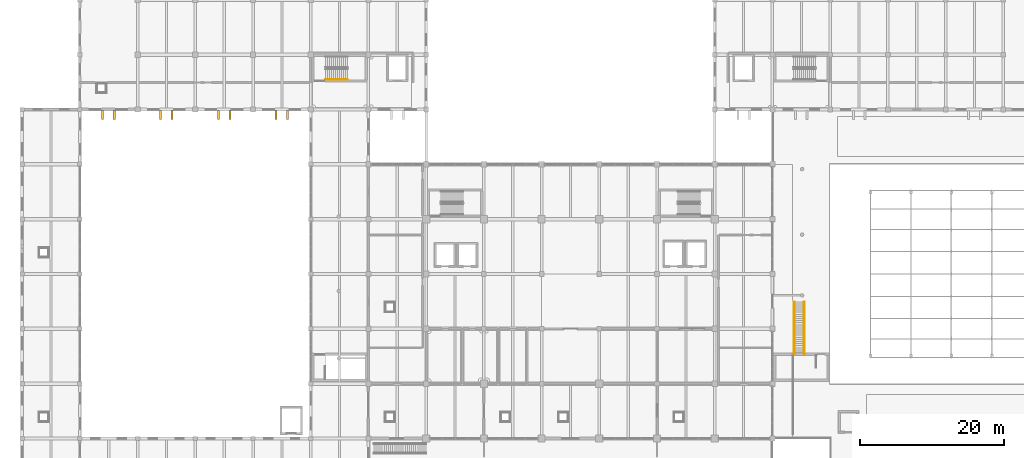
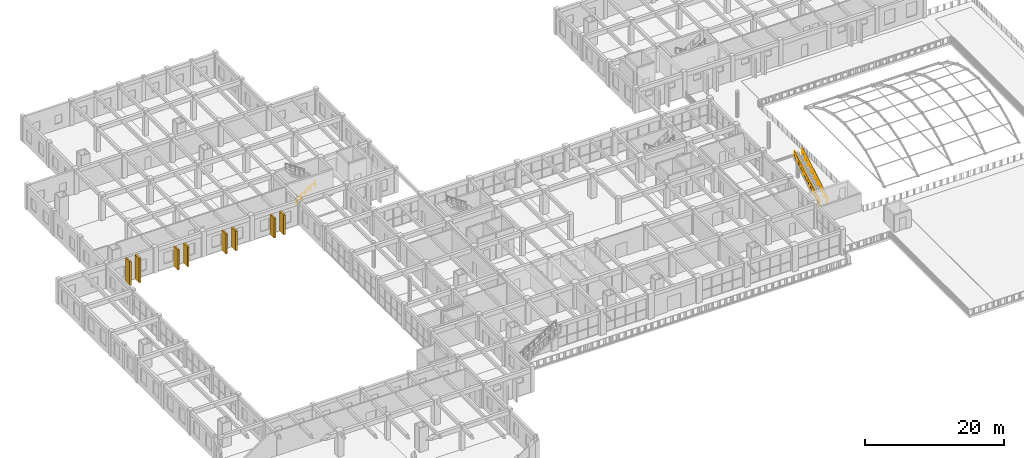
# One storey, part 74 of 79: 8 shading devices, 5 railings.
"""IFC4 building model written with IfcOpenShell, lengths in metres."""

from ifc_helpers import new_model, si_unit, direction, frame, origin, origin_2d, place, context, subcontext, project, spatial, rectangle, circle, extrude, material, type_object, element, save


model = new_model("IFC4")

# Units and contexts
model_context = context("Model", 3, precision=1e-05, world=origin(), true_north=direction((0.0, 1.0)))
body_context = subcontext(model_context, "Body", "Model", "MODEL_VIEW")
ifc_project = project(units=[si_unit("LENGTHUNIT", "METRE"), si_unit("AREAUNIT", "SQUARE_METRE"), si_unit("VOLUMEUNIT", "CUBIC_METRE"), si_unit("PLANEANGLEUNIT", "RADIAN"), si_unit("MASSUNIT", "GRAM", prefix="KILO")], contexts=[model_context])

# Site, building, storey
site_placement = place(None, origin())
site = spatial("IfcSite", under=ifc_project, at=site_placement, CompositionType="ELEMENT")
building_placement = place(site_placement, origin())
building = spatial("IfcBuilding", under=site, at=building_placement, Name="Zantavel Square City Hall", CompositionType="ELEMENT")
storey_placement = place(building_placement, frame((0.0, 0.0, 10.199951171875)))
storey = spatial("IfcBuildingStorey", under=building, at=storey_placement, Name="L03", CompositionType="ELEMENT", Elevation=10.199951171875)

# Shading devices
ifc_material_1 = material(Name="Cantera volcanic tuff stone", Category="masonry")
shading_device_type = type_object("IfcShadingDeviceType", Name="Cantera Vertical Solar Shading Pier 280x1240", PredefinedType="USERDEFINED", material=ifc_material_1)
for number, where, z_axis, x_axis, name in (
    (1, (44.800048828125, 75.239990234375, 0.0), (0.0, 0.0, 1.0), (1.0, 0.0, 0.0), "L03 Cantera Solar Pier 025"),
    (2, (43.199951171875, 75.239990234375, 0.0), (0.0, 0.0, 1.0), (1.0, 0.0, 0.0), "L03 Cantera Solar Pier 026"),
    (3, (36.800048828125, 75.239990234375, 0.0), (0.0, 0.0, 1.0), (1.0, 0.0, 0.0), "L03 Cantera Solar Pier 027"),
    (4, (35.199951171875, 75.239990234375, 0.0), (0.0, 0.0, 1.0), (1.0, 0.0, 0.0), "L03 Cantera Solar Pier 028"),
    (5, (28.800048828125, 75.239990234375, 0.0), (0.0, 0.0, 1.0), (1.0, 0.0, 0.0), "L03 Cantera Solar Pier 029"),
    (6, (27.199951171875, 75.239990234375, 0.0), (0.0, 0.0, 1.0), (1.0, 0.0, 0.0), "L03 Cantera Solar Pier 030"),
):
    element("IfcShadingDevice", number, at=place(storey_placement, frame(where, z_axis=z_axis, x_axis=x_axis)), inside=storey, type_object=shading_device_type, Name=name, ObjectType="FIN", PredefinedType="USERDEFINED", context=body_context, shape_type="SweptSolid", body=[
        extrude(rectangle(XDim=0.280029296875, YDim=1.239990234375, at=origin_2d()), origin(), (0.0, 0.0, 1.0), 3.469970703125),
    ])
for number, where, z_axis, x_axis, name in (
    (7, (20.762451171875, 75.239990234375, 0.0), (0.0, 0.0, 1.0), (1.0, 0.0, 0.0), "L03 Cantera Solar Pier 031"),
    (8, (19.16259765625, 75.239990234375, 0.0), (0.0, 0.0, 1.0), (1.0, 0.0, 0.0), "L03 Cantera Solar Pier 032"),
):
    element("IfcShadingDevice", number, at=place(storey_placement, frame(where, z_axis=z_axis, x_axis=x_axis)), inside=storey, type_object=shading_device_type, Name=name, ObjectType="FIN", PredefinedType="USERDEFINED", context=body_context, shape_type="SweptSolid", body=[
        extrude(rectangle(XDim=0.280029296875, YDim=1.239990234375, at=origin_2d()), origin(), (0.0, 0.0, 1.0), 4.219970703125),
    ])

# Railings
ifc_material_2 = material(Name="Steel ASTM A500 Grade B", Category="steel")
railing_type_1 = type_object("IfcRailingType", Name="Classical Stone & Steel Terrace Balustrade 1100mm", PredefinedType="BALUSTRADE", material=ifc_material_2)
railing_1_placement = place(storey_placement, frame((114.97998046875, 42.10009765625, 0.173095703125)))
element("IfcRailing", 9, at=railing_1_placement, inside=storey, type_object=railing_type_1, Name="Outdoor Stair ST-TR1 Balustered Guard L", PredefinedType="BALUSTRADE", context=body_context, shape_type="SweptSolid", body=[
    extrude(circle(Radius=0.02392578125, at=origin_2d()), frame((0.0, 0.0, 1.076171875), z_axis=(0.0, 0.858697395518, 0.512482958673), x_axis=(-1.0, 0.0, 0.0)), (0.0, 0.0, 1.0), 8.443115234375),
    extrude(rectangle(XDim=0.031982421875, YDim=0.031982421875, at=origin_2d()), frame((0.0, 0.0, 0.080078125), z_axis=(0.0, 0.858697395518, 0.512482958673), x_axis=(-1.0, 0.0, 0.0)), (0.0, 0.0, 1.0), 8.443115234375),
    extrude(rectangle(XDim=0.02197265625, YDim=0.02197265625, at=origin_2d()), frame((0.0, 0.089599609375, 0.13330078125)), (0.0, 0.0, 1.0), 0.971923828125),
    extrude(rectangle(XDim=0.02197265625, YDim=0.02197265625, at=origin_2d()), frame((0.0, 0.178955078125, 0.186767578125)), (0.0, 0.0, 1.0), 0.971923828125),
    extrude(rectangle(XDim=0.02197265625, YDim=0.02197265625, at=origin_2d()), frame((0.0, 0.2685546875, 0.240234375)), (0.0, 0.0, 1.0), 0.971923828125),
    extrude(rectangle(XDim=0.02197265625, YDim=0.02197265625, at=origin_2d()), frame((0.0, 0.35791015625, 0.293701171875)), (0.0, 0.0, 1.0), 0.971923828125),
    extrude(rectangle(XDim=0.02197265625, YDim=0.02197265625, at=origin_2d()), frame((0.0, 0.447509765625, 0.34716796875)), (0.0, 0.0, 1.0), 0.971923828125),
    extrude(rectangle(XDim=0.02197265625, YDim=0.02197265625, at=origin_2d()), frame((0.0, 0.537109375, 0.400390625)), (0.0, 0.0, 1.0), 0.971923828125),
    extrude(rectangle(XDim=0.02197265625, YDim=0.02197265625, at=origin_2d()), frame((0.0, 0.62646484375, 0.453857421875)), (0.0, 0.0, 1.0), 0.971923828125),
    extrude(rectangle(XDim=0.02197265625, YDim=0.02197265625, at=origin_2d()), frame((0.0, 0.716064453125, 0.50732421875)), (0.0, 0.0, 1.0), 0.971923828125),
    extrude(rectangle(XDim=0.02197265625, YDim=0.02197265625, at=origin_2d()), frame((0.0, 0.8056640625, 0.560791015625)), (0.0, 0.0, 1.0), 0.971923828125),
    extrude(rectangle(XDim=0.02197265625, YDim=0.02197265625, at=origin_2d()), frame((0.0, 0.984619140625, 0.667724609375)), (0.0, 0.0, 1.0), 0.971923828125),
    extrude(rectangle(XDim=0.02197265625, YDim=0.02197265625, at=origin_2d()), frame((0.0, 1.073974609375, 0.720947265625)), (0.0, 0.0, 1.0), 0.971923828125),
    extrude(rectangle(XDim=0.02197265625, YDim=0.02197265625, at=origin_2d()), frame((0.0, 1.16357421875, 0.7744140625)), (0.0, 0.0, 1.0), 0.971923828125),
    extrude(rectangle(XDim=0.02197265625, YDim=0.02197265625, at=origin_2d()), frame((0.0, 1.253173828125, 0.827880859375)), (0.0, 0.0, 1.0), 0.971923828125),
    extrude(rectangle(XDim=0.02197265625, YDim=0.02197265625, at=origin_2d()), frame((0.0, 1.342529296875, 0.88134765625)), (0.0, 0.0, 1.0), 0.971923828125),
    extrude(rectangle(XDim=0.02197265625, YDim=0.02197265625, at=origin_2d()), frame((0.0, 1.43212890625, 0.934814453125)), (0.0, 0.0, 1.0), 0.971923828125),
    extrude(rectangle(XDim=0.02197265625, YDim=0.02197265625, at=origin_2d()), frame((0.0, 1.521484375, 0.988037109375)), (0.0, 0.0, 1.0), 0.971923828125),
    extrude(rectangle(XDim=0.02197265625, YDim=0.02197265625, at=origin_2d()), frame((0.0, 1.611083984375, 1.04150390625)), (0.0, 0.0, 1.0), 0.971923828125),
    extrude(rectangle(XDim=0.02197265625, YDim=0.02197265625, at=origin_2d()), frame((0.0, 1.70068359375, 1.094970703125)), (0.0, 0.0, 1.0), 0.971923828125),
    extrude(rectangle(XDim=0.02197265625, YDim=0.02197265625, at=origin_2d()), frame((0.0, 1.879638671875, 1.201904296875)), (0.0, 0.0, 1.0), 0.971923828125),
    extrude(rectangle(XDim=0.02197265625, YDim=0.02197265625, at=origin_2d()), frame((0.0, 1.96923828125, 1.255126953125)), (0.0, 0.0, 1.0), 0.971923828125),
    extrude(rectangle(XDim=0.02197265625, YDim=0.02197265625, at=origin_2d()), frame((0.0, 2.05859375, 1.30859375)), (0.0, 0.0, 1.0), 0.971923828125),
    extrude(rectangle(XDim=0.02197265625, YDim=0.02197265625, at=origin_2d()), frame((0.0, 2.148193359375, 1.362060546875)), (0.0, 0.0, 1.0), 0.971923828125),
    extrude(rectangle(XDim=0.02197265625, YDim=0.02197265625, at=origin_2d()), frame((0.0, 2.237548828125, 1.41552734375)), (0.0, 0.0, 1.0), 0.971923828125),
    extrude(rectangle(XDim=0.02197265625, YDim=0.02197265625, at=origin_2d()), frame((0.0, 2.3271484375, 1.468994140625)), (0.0, 0.0, 1.0), 0.971923828125),
    extrude(rectangle(XDim=0.02197265625, YDim=0.02197265625, at=origin_2d()), frame((0.0, 2.416748046875, 1.522216796875)), (0.0, 0.0, 1.0), 0.971923828125),
    extrude(rectangle(XDim=0.02197265625, YDim=0.02197265625, at=origin_2d()), frame((0.0, 2.506103515625, 1.57568359375)), (0.0, 0.0, 1.0), 0.971923828125),
    extrude(rectangle(XDim=0.02197265625, YDim=0.02197265625, at=origin_2d()), frame((0.0, 2.595703125, 1.629150390625)), (0.0, 0.0, 1.0), 0.971923828125),
    extrude(rectangle(XDim=0.02197265625, YDim=0.02197265625, at=origin_2d()), frame((0.0, 2.774658203125, 1.736083984375)), (0.0, 0.0, 1.0), 0.971923828125),
    extrude(rectangle(XDim=0.02197265625, YDim=0.02197265625, at=origin_2d()), frame((0.0, 2.8642578125, 1.789306640625)), (0.0, 0.0, 1.0), 0.971923828125),
    extrude(rectangle(XDim=0.02197265625, YDim=0.02197265625, at=origin_2d()), frame((0.0, 2.95361328125, 1.8427734375)), (0.0, 0.0, 1.0), 0.971923828125),
    extrude(rectangle(XDim=0.02197265625, YDim=0.02197265625, at=origin_2d()), frame((0.0, 3.043212890625, 1.896240234375)), (0.0, 0.0, 1.0), 0.971923828125),
    extrude(rectangle(XDim=0.02197265625, YDim=0.02197265625, at=origin_2d()), frame((0.0, 3.1328125, 1.94970703125)), (0.0, 0.0, 1.0), 0.971923828125),
    extrude(rectangle(XDim=0.02197265625, YDim=0.02197265625, at=origin_2d()), frame((0.0, 3.22216796875, 2.003173828125)), (0.0, 0.0, 1.0), 0.971923828125),
    extrude(rectangle(XDim=0.02197265625, YDim=0.02197265625, at=origin_2d()), frame((0.0, 3.311767578125, 2.056396484375)), (0.0, 0.0, 1.0), 0.971923828125),
    extrude(rectangle(XDim=0.02197265625, YDim=0.02197265625, at=origin_2d()), frame((0.0, 3.401123046875, 2.10986328125)), (0.0, 0.0, 1.0), 0.971923828125),
    extrude(rectangle(XDim=0.02197265625, YDim=0.02197265625, at=origin_2d()), frame((0.0, 3.49072265625, 2.163330078125)), (0.0, 0.0, 1.0), 0.971923828125),
    extrude(rectangle(XDim=0.02197265625, YDim=0.02197265625, at=origin_2d()), frame((0.0, 3.580322265625, 2.216796875)), (0.0, 0.0, 1.0), 0.971923828125),
    extrude(rectangle(XDim=0.02197265625, YDim=0.02197265625, at=origin_2d()), frame((0.0, 3.669677734375, 2.270263671875)), (0.0, 0.0, 1.0), 0.971923828125),
    extrude(rectangle(XDim=0.02197265625, YDim=0.02197265625, at=origin_2d()), frame((0.0, 3.75927734375, 2.323486328125)), (0.0, 0.0, 1.0), 0.971923828125),
    extrude(rectangle(XDim=0.02197265625, YDim=0.02197265625, at=origin_2d()), frame((0.0, 3.848876953125, 2.376953125)), (0.0, 0.0, 1.0), 0.971923828125),
    extrude(rectangle(XDim=0.02197265625, YDim=0.02197265625, at=origin_2d()), frame((0.0, 3.938232421875, 2.430419921875)), (0.0, 0.0, 1.0), 0.971923828125),
    extrude(rectangle(XDim=0.02197265625, YDim=0.02197265625, at=origin_2d()), frame((0.0, 4.02783203125, 2.48388671875)), (0.0, 0.0, 1.0), 0.971923828125),
    extrude(rectangle(XDim=0.02197265625, YDim=0.02197265625, at=origin_2d()), frame((0.0, 4.1171875, 2.537353515625)), (0.0, 0.0, 1.0), 0.971923828125),
    extrude(rectangle(XDim=0.02197265625, YDim=0.02197265625, at=origin_2d()), frame((0.0, 4.206787109375, 2.590576171875)), (0.0, 0.0, 1.0), 0.971923828125),
    extrude(rectangle(XDim=0.02197265625, YDim=0.02197265625, at=origin_2d()), frame((0.0, 4.29638671875, 2.64404296875)), (0.0, 0.0, 1.0), 0.971923828125),
    extrude(rectangle(XDim=0.02197265625, YDim=0.02197265625, at=origin_2d()), frame((0.0, 4.3857421875, 2.697509765625)), (0.0, 0.0, 1.0), 0.971923828125),
    extrude(rectangle(XDim=0.02197265625, YDim=0.02197265625, at=origin_2d()), frame((0.0, 4.475341796875, 2.7509765625)), (0.0, 0.0, 1.0), 0.971923828125),
    extrude(rectangle(XDim=0.02197265625, YDim=0.02197265625, at=origin_2d()), frame((0.0, 4.654296875, 2.857666015625)), (0.0, 0.0, 1.0), 0.971923828125),
    extrude(rectangle(XDim=0.02197265625, YDim=0.02197265625, at=origin_2d()), frame((0.0, 4.743896484375, 2.9111328125)), (0.0, 0.0, 1.0), 0.971923828125),
    extrude(rectangle(XDim=0.02197265625, YDim=0.02197265625, at=origin_2d()), frame((0.0, 4.833251953125, 2.964599609375)), (0.0, 0.0, 1.0), 0.971923828125),
    extrude(rectangle(XDim=0.02197265625, YDim=0.02197265625, at=origin_2d()), frame((0.0, 4.9228515625, 3.01806640625)), (0.0, 0.0, 1.0), 0.971923828125),
    extrude(rectangle(XDim=0.02197265625, YDim=0.02197265625, at=origin_2d()), frame((0.0, 5.012451171875, 3.071533203125)), (0.0, 0.0, 1.0), 0.971923828125),
    extrude(rectangle(XDim=0.02197265625, YDim=0.02197265625, at=origin_2d()), frame((0.0, 5.101806640625, 3.124755859375)), (0.0, 0.0, 1.0), 0.971923828125),
    extrude(rectangle(XDim=0.02197265625, YDim=0.02197265625, at=origin_2d()), frame((0.0, 5.19140625, 3.17822265625)), (0.0, 0.0, 1.0), 0.971923828125),
    extrude(rectangle(XDim=0.02197265625, YDim=0.02197265625, at=origin_2d()), frame((0.0, 5.28076171875, 3.231689453125)), (0.0, 0.0, 1.0), 0.971923828125),
    extrude(rectangle(XDim=0.02197265625, YDim=0.02197265625, at=origin_2d()), frame((0.0, 5.370361328125, 3.28515625)), (0.0, 0.0, 1.0), 0.971923828125),
    extrude(rectangle(XDim=0.02197265625, YDim=0.02197265625, at=origin_2d()), frame((0.0, 5.54931640625, 3.391845703125)), (0.0, 0.0, 1.0), 0.971923828125),
    extrude(rectangle(XDim=0.02197265625, YDim=0.02197265625, at=origin_2d()), frame((0.0, 5.638916015625, 3.4453125)), (0.0, 0.0, 1.0), 0.971923828125),
    extrude(rectangle(XDim=0.02197265625, YDim=0.02197265625, at=origin_2d()), frame((0.0, 5.728515625, 3.498779296875)), (0.0, 0.0, 1.0), 0.971923828125),
    extrude(rectangle(XDim=0.02197265625, YDim=0.02197265625, at=origin_2d()), frame((0.0, 5.81787109375, 3.55224609375)), (0.0, 0.0, 1.0), 0.971923828125),
    extrude(rectangle(XDim=0.02197265625, YDim=0.02197265625, at=origin_2d()), frame((0.0, 5.907470703125, 3.605712890625)), (0.0, 0.0, 1.0), 0.971923828125),
    extrude(rectangle(XDim=0.02197265625, YDim=0.02197265625, at=origin_2d()), frame((0.0, 5.996826171875, 3.658935546875)), (0.0, 0.0, 1.0), 0.971923828125),
    extrude(rectangle(XDim=0.02197265625, YDim=0.02197265625, at=origin_2d()), frame((0.0, 6.08642578125, 3.71240234375)), (0.0, 0.0, 1.0), 0.971923828125),
    extrude(rectangle(XDim=0.02197265625, YDim=0.02197265625, at=origin_2d()), frame((0.0, 6.176025390625, 3.765869140625)), (0.0, 0.0, 1.0), 0.971923828125),
    extrude(rectangle(XDim=0.02197265625, YDim=0.02197265625, at=origin_2d()), frame((0.0, 6.265380859375, 3.8193359375)), (0.0, 0.0, 1.0), 0.971923828125),
    extrude(rectangle(XDim=0.02197265625, YDim=0.02197265625, at=origin_2d()), frame((0.0, 6.4443359375, 3.926025390625)), (0.0, 0.0, 1.0), 0.971923828125),
    extrude(rectangle(XDim=0.02197265625, YDim=0.02197265625, at=origin_2d()), frame((0.0, 6.533935546875, 3.9794921875)), (0.0, 0.0, 1.0), 0.971923828125),
    extrude(rectangle(XDim=0.02197265625, YDim=0.02197265625, at=origin_2d()), frame((0.0, 6.62353515625, 4.032958984375)), (0.0, 0.0, 1.0), 0.971923828125),
    extrude(rectangle(XDim=0.02197265625, YDim=0.02197265625, at=origin_2d()), frame((0.0, 6.712890625, 4.08642578125)), (0.0, 0.0, 1.0), 0.971923828125),
    extrude(rectangle(XDim=0.02197265625, YDim=0.02197265625, at=origin_2d()), frame((0.0, 6.802490234375, 4.139892578125)), (0.0, 0.0, 1.0), 0.971923828125),
    extrude(rectangle(XDim=0.02197265625, YDim=0.02197265625, at=origin_2d()), frame((0.0, 6.89208984375, 4.193115234375)), (0.0, 0.0, 1.0), 0.971923828125),
    extrude(rectangle(XDim=0.02197265625, YDim=0.02197265625, at=origin_2d()), frame((0.0, 6.9814453125, 4.24658203125)), (0.0, 0.0, 1.0), 0.971923828125),
    extrude(rectangle(XDim=0.02197265625, YDim=0.02197265625, at=origin_2d()), frame((0.0, 7.071044921875, 4.300048828125)), (0.0, 0.0, 1.0), 0.971923828125),
    extrude(rectangle(XDim=0.02197265625, YDim=0.02197265625, at=origin_2d()), frame((0.0, 7.160400390625, 4.353515625)), (0.0, 0.0, 1.0), 0.971923828125),
    extrude(circle(Radius=0.02099609375, at=origin_2d()), origin(), (0.0, 0.0, 1.0), 1.052001953125),
    extrude(circle(Radius=0.02099609375, at=origin_2d()), frame((0.0, 0.90625, 0.540771484375)), (0.0, 0.0, 1.0), 1.052001953125),
    extrude(circle(Radius=0.02099609375, at=origin_2d()), frame((0.0, 1.8125, 1.081787109375)), (0.0, 0.0, 1.0), 1.052001953125),
    extrude(circle(Radius=0.02099609375, at=origin_2d()), frame((0.0, 2.71875, 1.62255859375)), (0.0, 0.0, 1.0), 1.052001953125),
    extrude(circle(Radius=0.02099609375, at=origin_2d()), frame((0.0, 3.625, 2.16357421875)), (0.0, 0.0, 1.0), 1.052001953125),
    extrude(circle(Radius=0.02099609375, at=origin_2d()), frame((0.0, 4.53125, 2.704345703125)), (0.0, 0.0, 1.0), 1.052001953125),
    extrude(circle(Radius=0.02099609375, at=origin_2d()), frame((0.0, 5.4375, 3.2451171875)), (0.0, 0.0, 1.0), 1.052001953125),
    extrude(circle(Radius=0.02099609375, at=origin_2d()), frame((0.0, 6.34375, 3.7861328125)), (0.0, 0.0, 1.0), 1.052001953125),
    extrude(circle(Radius=0.02099609375, at=origin_2d()), frame((0.0, 7.25, 4.326904296875)), (0.0, 0.0, 1.0), 1.052001953125),
])
railing_2_placement = place(storey_placement, frame((116.419921875, 42.10009765625, 0.173095703125)))
element("IfcRailing", 10, at=railing_2_placement, inside=storey, type_object=railing_type_1, Name="Outdoor Stair ST-TR1 Balustered Guard R", PredefinedType="BALUSTRADE", context=body_context, shape_type="SweptSolid", body=[
    extrude(circle(Radius=0.02392578125, at=origin_2d()), frame((0.0, 0.0, 1.076171875), z_axis=(0.0, 0.858697395518, 0.512482958673), x_axis=(-1.0, 0.0, 0.0)), (0.0, 0.0, 1.0), 8.443115234375),
    extrude(rectangle(XDim=0.031982421875, YDim=0.031982421875, at=origin_2d()), frame((0.0, 0.0, 0.080078125), z_axis=(0.0, 0.858697395518, 0.512482958673), x_axis=(-1.0, 0.0, 0.0)), (0.0, 0.0, 1.0), 8.443115234375),
    extrude(rectangle(XDim=0.02197265625, YDim=0.02197265625, at=origin_2d()), frame((0.0, 0.089599609375, 0.13330078125)), (0.0, 0.0, 1.0), 0.971923828125),
    extrude(rectangle(XDim=0.02197265625, YDim=0.02197265625, at=origin_2d()), frame((0.0, 0.178955078125, 0.186767578125)), (0.0, 0.0, 1.0), 0.971923828125),
    extrude(rectangle(XDim=0.02197265625, YDim=0.02197265625, at=origin_2d()), frame((0.0, 0.2685546875, 0.240234375)), (0.0, 0.0, 1.0), 0.971923828125),
    extrude(rectangle(XDim=0.02197265625, YDim=0.02197265625, at=origin_2d()), frame((0.0, 0.35791015625, 0.293701171875)), (0.0, 0.0, 1.0), 0.971923828125),
    extrude(rectangle(XDim=0.02197265625, YDim=0.02197265625, at=origin_2d()), frame((0.0, 0.447509765625, 0.34716796875)), (0.0, 0.0, 1.0), 0.971923828125),
    extrude(rectangle(XDim=0.02197265625, YDim=0.02197265625, at=origin_2d()), frame((0.0, 0.537109375, 0.400390625)), (0.0, 0.0, 1.0), 0.971923828125),
    extrude(rectangle(XDim=0.02197265625, YDim=0.02197265625, at=origin_2d()), frame((0.0, 0.62646484375, 0.453857421875)), (0.0, 0.0, 1.0), 0.971923828125),
    extrude(rectangle(XDim=0.02197265625, YDim=0.02197265625, at=origin_2d()), frame((0.0, 0.716064453125, 0.50732421875)), (0.0, 0.0, 1.0), 0.971923828125),
    extrude(rectangle(XDim=0.02197265625, YDim=0.02197265625, at=origin_2d()), frame((0.0, 0.8056640625, 0.560791015625)), (0.0, 0.0, 1.0), 0.971923828125),
    extrude(rectangle(XDim=0.02197265625, YDim=0.02197265625, at=origin_2d()), frame((0.0, 0.984619140625, 0.667724609375)), (0.0, 0.0, 1.0), 0.971923828125),
    extrude(rectangle(XDim=0.02197265625, YDim=0.02197265625, at=origin_2d()), frame((0.0, 1.073974609375, 0.720947265625)), (0.0, 0.0, 1.0), 0.971923828125),
    extrude(rectangle(XDim=0.02197265625, YDim=0.02197265625, at=origin_2d()), frame((0.0, 1.16357421875, 0.7744140625)), (0.0, 0.0, 1.0), 0.971923828125),
    extrude(rectangle(XDim=0.02197265625, YDim=0.02197265625, at=origin_2d()), frame((0.0, 1.253173828125, 0.827880859375)), (0.0, 0.0, 1.0), 0.971923828125),
    extrude(rectangle(XDim=0.02197265625, YDim=0.02197265625, at=origin_2d()), frame((0.0, 1.342529296875, 0.88134765625)), (0.0, 0.0, 1.0), 0.971923828125),
    extrude(rectangle(XDim=0.02197265625, YDim=0.02197265625, at=origin_2d()), frame((0.0, 1.43212890625, 0.934814453125)), (0.0, 0.0, 1.0), 0.971923828125),
    extrude(rectangle(XDim=0.02197265625, YDim=0.02197265625, at=origin_2d()), frame((0.0, 1.521484375, 0.988037109375)), (0.0, 0.0, 1.0), 0.971923828125),
    extrude(rectangle(XDim=0.02197265625, YDim=0.02197265625, at=origin_2d()), frame((0.0, 1.611083984375, 1.04150390625)), (0.0, 0.0, 1.0), 0.971923828125),
    extrude(rectangle(XDim=0.02197265625, YDim=0.02197265625, at=origin_2d()), frame((0.0, 1.70068359375, 1.094970703125)), (0.0, 0.0, 1.0), 0.971923828125),
    extrude(rectangle(XDim=0.02197265625, YDim=0.02197265625, at=origin_2d()), frame((0.0, 1.879638671875, 1.201904296875)), (0.0, 0.0, 1.0), 0.971923828125),
    extrude(rectangle(XDim=0.02197265625, YDim=0.02197265625, at=origin_2d()), frame((0.0, 1.96923828125, 1.255126953125)), (0.0, 0.0, 1.0), 0.971923828125),
    extrude(rectangle(XDim=0.02197265625, YDim=0.02197265625, at=origin_2d()), frame((0.0, 2.05859375, 1.30859375)), (0.0, 0.0, 1.0), 0.971923828125),
    extrude(rectangle(XDim=0.02197265625, YDim=0.02197265625, at=origin_2d()), frame((0.0, 2.148193359375, 1.362060546875)), (0.0, 0.0, 1.0), 0.971923828125),
    extrude(rectangle(XDim=0.02197265625, YDim=0.02197265625, at=origin_2d()), frame((0.0, 2.237548828125, 1.41552734375)), (0.0, 0.0, 1.0), 0.971923828125),
    extrude(rectangle(XDim=0.02197265625, YDim=0.02197265625, at=origin_2d()), frame((0.0, 2.3271484375, 1.468994140625)), (0.0, 0.0, 1.0), 0.971923828125),
    extrude(rectangle(XDim=0.02197265625, YDim=0.02197265625, at=origin_2d()), frame((0.0, 2.416748046875, 1.522216796875)), (0.0, 0.0, 1.0), 0.971923828125),
    extrude(rectangle(XDim=0.02197265625, YDim=0.02197265625, at=origin_2d()), frame((0.0, 2.506103515625, 1.57568359375)), (0.0, 0.0, 1.0), 0.971923828125),
    extrude(rectangle(XDim=0.02197265625, YDim=0.02197265625, at=origin_2d()), frame((0.0, 2.595703125, 1.629150390625)), (0.0, 0.0, 1.0), 0.971923828125),
    extrude(rectangle(XDim=0.02197265625, YDim=0.02197265625, at=origin_2d()), frame((0.0, 2.774658203125, 1.736083984375)), (0.0, 0.0, 1.0), 0.971923828125),
    extrude(rectangle(XDim=0.02197265625, YDim=0.02197265625, at=origin_2d()), frame((0.0, 2.8642578125, 1.789306640625)), (0.0, 0.0, 1.0), 0.971923828125),
    extrude(rectangle(XDim=0.02197265625, YDim=0.02197265625, at=origin_2d()), frame((0.0, 2.95361328125, 1.8427734375)), (0.0, 0.0, 1.0), 0.971923828125),
    extrude(rectangle(XDim=0.02197265625, YDim=0.02197265625, at=origin_2d()), frame((0.0, 3.043212890625, 1.896240234375)), (0.0, 0.0, 1.0), 0.971923828125),
    extrude(rectangle(XDim=0.02197265625, YDim=0.02197265625, at=origin_2d()), frame((0.0, 3.1328125, 1.94970703125)), (0.0, 0.0, 1.0), 0.971923828125),
    extrude(rectangle(XDim=0.02197265625, YDim=0.02197265625, at=origin_2d()), frame((0.0, 3.22216796875, 2.003173828125)), (0.0, 0.0, 1.0), 0.971923828125),
    extrude(rectangle(XDim=0.02197265625, YDim=0.02197265625, at=origin_2d()), frame((0.0, 3.311767578125, 2.056396484375)), (0.0, 0.0, 1.0), 0.971923828125),
    extrude(rectangle(XDim=0.02197265625, YDim=0.02197265625, at=origin_2d()), frame((0.0, 3.401123046875, 2.10986328125)), (0.0, 0.0, 1.0), 0.971923828125),
    extrude(rectangle(XDim=0.02197265625, YDim=0.02197265625, at=origin_2d()), frame((0.0, 3.49072265625, 2.163330078125)), (0.0, 0.0, 1.0), 0.971923828125),
    extrude(rectangle(XDim=0.02197265625, YDim=0.02197265625, at=origin_2d()), frame((0.0, 3.580322265625, 2.216796875)), (0.0, 0.0, 1.0), 0.971923828125),
    extrude(rectangle(XDim=0.02197265625, YDim=0.02197265625, at=origin_2d()), frame((0.0, 3.669677734375, 2.270263671875)), (0.0, 0.0, 1.0), 0.971923828125),
    extrude(rectangle(XDim=0.02197265625, YDim=0.02197265625, at=origin_2d()), frame((0.0, 3.75927734375, 2.323486328125)), (0.0, 0.0, 1.0), 0.971923828125),
    extrude(rectangle(XDim=0.02197265625, YDim=0.02197265625, at=origin_2d()), frame((0.0, 3.848876953125, 2.376953125)), (0.0, 0.0, 1.0), 0.971923828125),
    extrude(rectangle(XDim=0.02197265625, YDim=0.02197265625, at=origin_2d()), frame((0.0, 3.938232421875, 2.430419921875)), (0.0, 0.0, 1.0), 0.971923828125),
    extrude(rectangle(XDim=0.02197265625, YDim=0.02197265625, at=origin_2d()), frame((0.0, 4.02783203125, 2.48388671875)), (0.0, 0.0, 1.0), 0.971923828125),
    extrude(rectangle(XDim=0.02197265625, YDim=0.02197265625, at=origin_2d()), frame((0.0, 4.1171875, 2.537353515625)), (0.0, 0.0, 1.0), 0.971923828125),
    extrude(rectangle(XDim=0.02197265625, YDim=0.02197265625, at=origin_2d()), frame((0.0, 4.206787109375, 2.590576171875)), (0.0, 0.0, 1.0), 0.971923828125),
    extrude(rectangle(XDim=0.02197265625, YDim=0.02197265625, at=origin_2d()), frame((0.0, 4.29638671875, 2.64404296875)), (0.0, 0.0, 1.0), 0.971923828125),
    extrude(rectangle(XDim=0.02197265625, YDim=0.02197265625, at=origin_2d()), frame((0.0, 4.3857421875, 2.697509765625)), (0.0, 0.0, 1.0), 0.971923828125),
    extrude(rectangle(XDim=0.02197265625, YDim=0.02197265625, at=origin_2d()), frame((0.0, 4.475341796875, 2.7509765625)), (0.0, 0.0, 1.0), 0.971923828125),
    extrude(rectangle(XDim=0.02197265625, YDim=0.02197265625, at=origin_2d()), frame((0.0, 4.654296875, 2.857666015625)), (0.0, 0.0, 1.0), 0.971923828125),
    extrude(rectangle(XDim=0.02197265625, YDim=0.02197265625, at=origin_2d()), frame((0.0, 4.743896484375, 2.9111328125)), (0.0, 0.0, 1.0), 0.971923828125),
    extrude(rectangle(XDim=0.02197265625, YDim=0.02197265625, at=origin_2d()), frame((0.0, 4.833251953125, 2.964599609375)), (0.0, 0.0, 1.0), 0.971923828125),
    extrude(rectangle(XDim=0.02197265625, YDim=0.02197265625, at=origin_2d()), frame((0.0, 4.9228515625, 3.01806640625)), (0.0, 0.0, 1.0), 0.971923828125),
    extrude(rectangle(XDim=0.02197265625, YDim=0.02197265625, at=origin_2d()), frame((0.0, 5.012451171875, 3.071533203125)), (0.0, 0.0, 1.0), 0.971923828125),
    extrude(rectangle(XDim=0.02197265625, YDim=0.02197265625, at=origin_2d()), frame((0.0, 5.101806640625, 3.124755859375)), (0.0, 0.0, 1.0), 0.971923828125),
    extrude(rectangle(XDim=0.02197265625, YDim=0.02197265625, at=origin_2d()), frame((0.0, 5.19140625, 3.17822265625)), (0.0, 0.0, 1.0), 0.971923828125),
    extrude(rectangle(XDim=0.02197265625, YDim=0.02197265625, at=origin_2d()), frame((0.0, 5.28076171875, 3.231689453125)), (0.0, 0.0, 1.0), 0.971923828125),
    extrude(rectangle(XDim=0.02197265625, YDim=0.02197265625, at=origin_2d()), frame((0.0, 5.370361328125, 3.28515625)), (0.0, 0.0, 1.0), 0.971923828125),
    extrude(rectangle(XDim=0.02197265625, YDim=0.02197265625, at=origin_2d()), frame((0.0, 5.54931640625, 3.391845703125)), (0.0, 0.0, 1.0), 0.971923828125),
    extrude(rectangle(XDim=0.02197265625, YDim=0.02197265625, at=origin_2d()), frame((0.0, 5.638916015625, 3.4453125)), (0.0, 0.0, 1.0), 0.971923828125),
    extrude(rectangle(XDim=0.02197265625, YDim=0.02197265625, at=origin_2d()), frame((0.0, 5.728515625, 3.498779296875)), (0.0, 0.0, 1.0), 0.971923828125),
    extrude(rectangle(XDim=0.02197265625, YDim=0.02197265625, at=origin_2d()), frame((0.0, 5.81787109375, 3.55224609375)), (0.0, 0.0, 1.0), 0.971923828125),
    extrude(rectangle(XDim=0.02197265625, YDim=0.02197265625, at=origin_2d()), frame((0.0, 5.907470703125, 3.605712890625)), (0.0, 0.0, 1.0), 0.971923828125),
    extrude(rectangle(XDim=0.02197265625, YDim=0.02197265625, at=origin_2d()), frame((0.0, 5.996826171875, 3.658935546875)), (0.0, 0.0, 1.0), 0.971923828125),
    extrude(rectangle(XDim=0.02197265625, YDim=0.02197265625, at=origin_2d()), frame((0.0, 6.08642578125, 3.71240234375)), (0.0, 0.0, 1.0), 0.971923828125),
    extrude(rectangle(XDim=0.02197265625, YDim=0.02197265625, at=origin_2d()), frame((0.0, 6.176025390625, 3.765869140625)), (0.0, 0.0, 1.0), 0.971923828125),
    extrude(rectangle(XDim=0.02197265625, YDim=0.02197265625, at=origin_2d()), frame((0.0, 6.265380859375, 3.8193359375)), (0.0, 0.0, 1.0), 0.971923828125),
    extrude(rectangle(XDim=0.02197265625, YDim=0.02197265625, at=origin_2d()), frame((0.0, 6.4443359375, 3.926025390625)), (0.0, 0.0, 1.0), 0.971923828125),
    extrude(rectangle(XDim=0.02197265625, YDim=0.02197265625, at=origin_2d()), frame((0.0, 6.533935546875, 3.9794921875)), (0.0, 0.0, 1.0), 0.971923828125),
    extrude(rectangle(XDim=0.02197265625, YDim=0.02197265625, at=origin_2d()), frame((0.0, 6.62353515625, 4.032958984375)), (0.0, 0.0, 1.0), 0.971923828125),
    extrude(rectangle(XDim=0.02197265625, YDim=0.02197265625, at=origin_2d()), frame((0.0, 6.712890625, 4.08642578125)), (0.0, 0.0, 1.0), 0.971923828125),
    extrude(rectangle(XDim=0.02197265625, YDim=0.02197265625, at=origin_2d()), frame((0.0, 6.802490234375, 4.139892578125)), (0.0, 0.0, 1.0), 0.971923828125),
    extrude(rectangle(XDim=0.02197265625, YDim=0.02197265625, at=origin_2d()), frame((0.0, 6.89208984375, 4.193115234375)), (0.0, 0.0, 1.0), 0.971923828125),
    extrude(rectangle(XDim=0.02197265625, YDim=0.02197265625, at=origin_2d()), frame((0.0, 6.9814453125, 4.24658203125)), (0.0, 0.0, 1.0), 0.971923828125),
    extrude(rectangle(XDim=0.02197265625, YDim=0.02197265625, at=origin_2d()), frame((0.0, 7.071044921875, 4.300048828125)), (0.0, 0.0, 1.0), 0.971923828125),
    extrude(rectangle(XDim=0.02197265625, YDim=0.02197265625, at=origin_2d()), frame((0.0, 7.160400390625, 4.353515625)), (0.0, 0.0, 1.0), 0.971923828125),
    extrude(circle(Radius=0.02099609375, at=origin_2d()), origin(), (0.0, 0.0, 1.0), 1.052001953125),
    extrude(circle(Radius=0.02099609375, at=origin_2d()), frame((0.0, 0.90625, 0.540771484375)), (0.0, 0.0, 1.0), 1.052001953125),
    extrude(circle(Radius=0.02099609375, at=origin_2d()), frame((0.0, 1.8125, 1.081787109375)), (0.0, 0.0, 1.0), 1.052001953125),
    extrude(circle(Radius=0.02099609375, at=origin_2d()), frame((0.0, 2.71875, 1.62255859375)), (0.0, 0.0, 1.0), 1.052001953125),
    extrude(circle(Radius=0.02099609375, at=origin_2d()), frame((0.0, 3.625, 2.16357421875)), (0.0, 0.0, 1.0), 1.052001953125),
    extrude(circle(Radius=0.02099609375, at=origin_2d()), frame((0.0, 4.53125, 2.704345703125)), (0.0, 0.0, 1.0), 1.052001953125),
    extrude(circle(Radius=0.02099609375, at=origin_2d()), frame((0.0, 5.4375, 3.2451171875)), (0.0, 0.0, 1.0), 1.052001953125),
    extrude(circle(Radius=0.02099609375, at=origin_2d()), frame((0.0, 6.34375, 3.7861328125)), (0.0, 0.0, 1.0), 1.052001953125),
    extrude(circle(Radius=0.02099609375, at=origin_2d()), frame((0.0, 7.25, 4.326904296875)), (0.0, 0.0, 1.0), 1.052001953125),
])
ifc_material_3 = material(Name="Stainless steel 316", Category="steel")
railing_type_2 = type_object("IfcRailingType", Name="Stair Stainless Steel Handrail 900mm", PredefinedType="HANDRAIL", material=ifc_material_3)
for number, where, name in (
    (11, (115.06640625, 42.10009765625, 0.173095703125), "Outdoor Stair ST-TR1 Handrail L"),
    (12, (116.33349609375, 42.10009765625, 0.173095703125), "Outdoor Stair ST-TR1 Handrail R"),
):
    element("IfcRailing", number, at=place(storey_placement, frame(where)), inside=storey, type_object=railing_type_2, Name=name, PredefinedType="HANDRAIL", context=body_context, shape_type="SweptSolid", body=[
        extrude(circle(Radius=0.02392578125, at=origin_2d()), frame((0.0, 0.0, 0.8759765625), z_axis=(0.0, 0.858697395518, 0.512482958673), x_axis=(-1.0, 0.0, 0.0)), (0.0, 0.0, 1.0), 8.443115234375),
        extrude(circle(Radius=0.02099609375, at=origin_2d()), origin(), (0.0, 0.0, 1.0), 0.851806640625),
        extrude(circle(Radius=0.02099609375, at=origin_2d()), frame((0.0, 0.90625, 0.540771484375)), (0.0, 0.0, 1.0), 0.851806640625),
        extrude(circle(Radius=0.02099609375, at=origin_2d()), frame((0.0, 1.8125, 1.081787109375)), (0.0, 0.0, 1.0), 0.851806640625),
        extrude(circle(Radius=0.02099609375, at=origin_2d()), frame((0.0, 2.71875, 1.62255859375)), (0.0, 0.0, 1.0), 0.851806640625),
        extrude(circle(Radius=0.02099609375, at=origin_2d()), frame((0.0, 3.625, 2.16357421875)), (0.0, 0.0, 1.0), 0.851806640625),
        extrude(circle(Radius=0.02099609375, at=origin_2d()), frame((0.0, 4.53125, 2.704345703125)), (0.0, 0.0, 1.0), 0.851806640625),
        extrude(circle(Radius=0.02099609375, at=origin_2d()), frame((0.0, 5.4375, 3.2451171875)), (0.0, 0.0, 1.0), 0.851806640625),
        extrude(circle(Radius=0.02099609375, at=origin_2d()), frame((0.0, 6.34375, 3.7861328125)), (0.0, 0.0, 1.0), 0.851806640625),
        extrude(circle(Radius=0.02099609375, at=origin_2d()), frame((0.0, 7.25, 4.326904296875)), (0.0, 0.0, 1.0), 0.851806640625),
    ])
railing_3_placement = place(storey_placement, frame((50.030029296875, 80.14990234375, 0.1875)))
element("IfcRailing", 13, at=railing_3_placement, inside=storey, type_object=railing_type_2, Name="L03 ST1 stair handrail 1", PredefinedType="HANDRAIL", context=body_context, shape_type="SweptSolid", body=[
    extrude(circle(Radius=0.02392578125, at=origin_2d()), frame((0.0, 0.0, 0.8759765625), z_axis=(0.830913701846, 0.0, 0.55640131208), x_axis=(0.0, 1.0, 0.0)), (0.0, 0.0, 1.0), 3.706787109375),
    extrude(circle(Radius=0.02099609375, at=origin_2d()), origin(), (0.0, 0.0, 1.0), 0.851806640625),
    extrude(circle(Radius=0.02099609375, at=origin_2d()), frame((0.77001953125, 0.0, 0.515625)), (0.0, 0.0, 1.0), 0.851806640625),
    extrude(circle(Radius=0.02099609375, at=origin_2d()), frame((1.5400390625, 0.0, 1.03125)), (0.0, 0.0, 1.0), 0.851806640625),
    extrude(circle(Radius=0.02099609375, at=origin_2d()), frame((2.31005859375, 0.0, 1.546875)), (0.0, 0.0, 1.0), 0.851806640625),
    extrude(circle(Radius=0.02099609375, at=origin_2d()), frame((3.080078125, 0.0, 2.0625)), (0.0, 0.0, 1.0), 0.851806640625),
])

save(model, "model.ifc")
